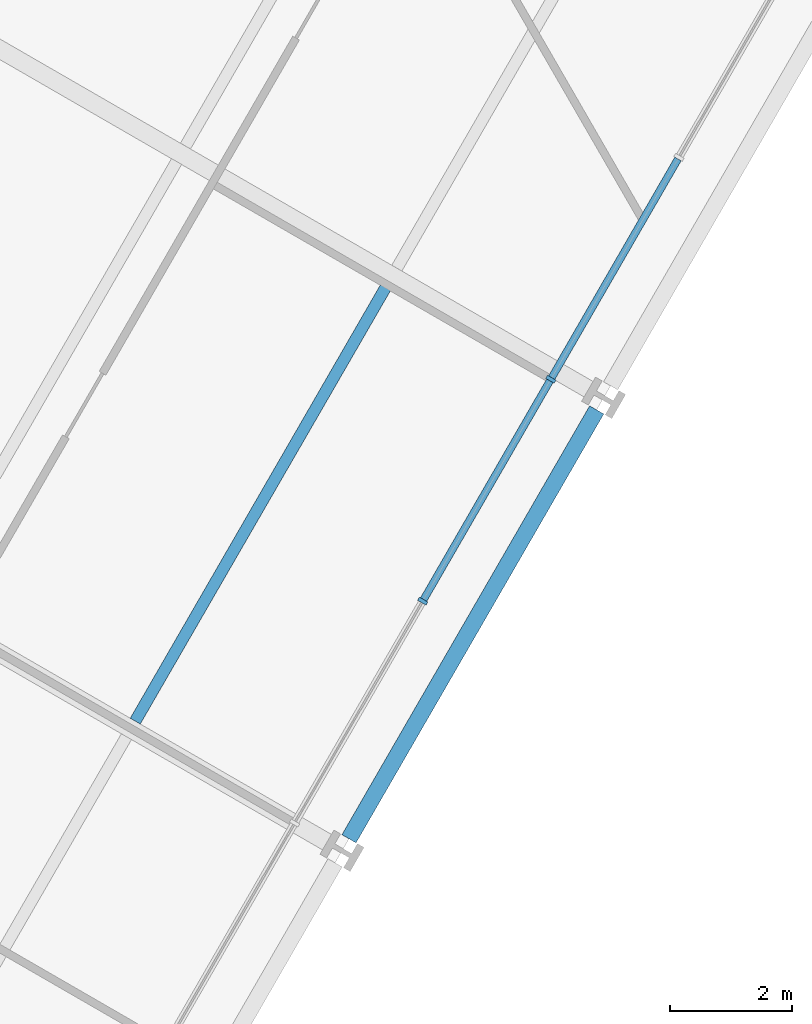
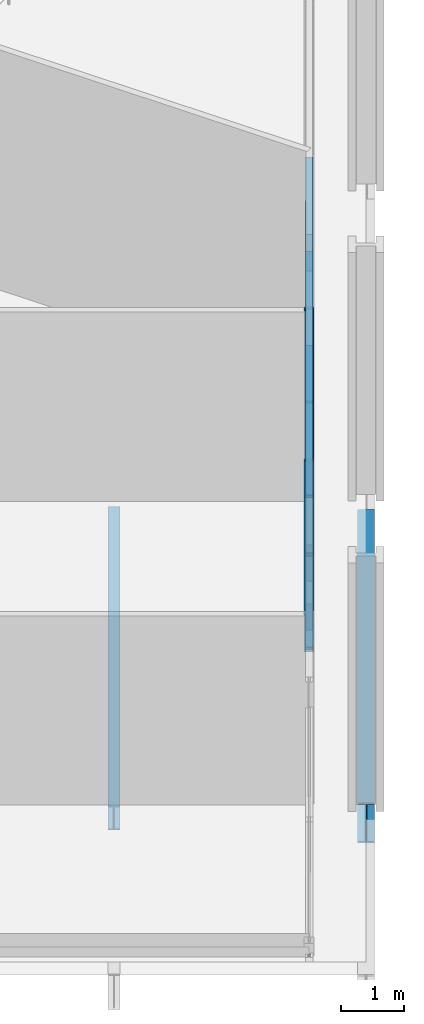
# One storey, part 5 of 18: 8 members, 2 beams, 1 element without a shape of its own.
"""IFC4 building model written with IfcOpenShell, lengths in metres."""

from ifc_helpers import new_model, si_unit, direction, frame, origin, origin_2d, place, context, subcontext, project, spatial, rectangle, i_section, extrude, material, layer, layer_set, material_profile, profile_set, type_object, element, aggregate, save


model = new_model("IFC4")

# Units and contexts
model_context = context("Model", 3, precision=1e-05, world=origin(), true_north=direction((0.0, 1.0)))
body_context = subcontext(model_context, "Body", "Model", "MODEL_VIEW")
ifc_project = project(units=[si_unit("LENGTHUNIT", "METRE"), si_unit("AREAUNIT", "SQUARE_METRE"), si_unit("VOLUMEUNIT", "CUBIC_METRE"), si_unit("PLANEANGLEUNIT", "RADIAN"), si_unit("MASSUNIT", "GRAM", prefix="KILO")], contexts=[model_context])

# Site, building, storey
site_placement = place(None, origin())
site = spatial("IfcSite", under=ifc_project, at=site_placement, CompositionType="ELEMENT")
building_placement = place(site_placement, origin())
building = spatial("IfcBuilding", under=site, at=building_placement, Name="Verrane Prism Tower", CompositionType="ELEMENT")
storey_placement = place(building_placement, frame((0.0, 0.0, 22.39990234375)))
storey = spatial("IfcBuildingStorey", under=building, at=storey_placement, Name="L03", CompositionType="ELEMENT", Elevation=22.39990234375)

# Curtain wall, members
ifc_material_1 = material(Name="Aluminium and glass curtain wall", Category="aluminium")
ifc_layer = layer(ifc_material_1, 0.199951171875)
ifc_layer_set = layer_set([ifc_layer], Name="CWB-1 retail curtain wall")
curtain_wall_type = type_object("IfcCurtainWallType", Name="CWB-1 retail curtain wall", PredefinedType="NOTDEFINED", material=ifc_layer_set)
curtain_wall_placement = place(storey_placement, origin())
curtain_wall = element("IfcCurtainWall", 1, at=curtain_wall_placement, inside=storey, type_object=curtain_wall_type, Name="Retail curtain wall L03 6", PredefinedType="NOTDEFINED")
ifc_material_2 = material(Name="Aluminium", Category="aluminium")
ifc_material_profile_1 = material_profile(ifc_material_2, rectangle(XDim=0.159912109375, YDim=0.06005859375, at=origin_2d()), Name="CWB-M 60x160 mullion")
ifc_profile_set_1 = profile_set([ifc_material_profile_1], Name="Aluminium")
member_type_1 = type_object("IfcMemberType", Name="CWB-M 60x160 mullion", PredefinedType="MULLION", material=ifc_profile_set_1)
member_1_placement = place(storey_placement, frame((19.64990234375, -6.505126953125, 0.0), z_axis=(0.0, 0.0, 1.0), x_axis=(-0.866025335097, 0.50000011897, 0.0)))
member_1 = element("IfcMember", 2, at=member_1_placement, type_object=member_type_1, Name="CWB36 mullion 8", PredefinedType="MULLION", context=body_context, shape_type="SweptSolid", body=[
    extrude(rectangle(XDim=0.159912109375, YDim=0.06005859375, at=origin_2d()), origin(), (0.0, 0.0, 1.0), 3.690185546875),
])
member_2_placement = place(storey_placement, frame((21.74560546875, -2.87548828125, 0.0), z_axis=(0.0, 0.0, 1.0), x_axis=(-0.866025335097, 0.50000011897, 0.0)))
member_2 = element("IfcMember", 3, at=member_2_placement, type_object=member_type_1, Name="CWB36 mullion 9", PredefinedType="MULLION", context=body_context, shape_type="SweptSolid", body=[
    extrude(rectangle(XDim=0.159912109375, YDim=0.06005859375, at=origin_2d()), origin(), (0.0, 0.0, 1.0), 3.690185546875),
])
ifc_material_3 = material(Name="Aluminium", Category="aluminium")
ifc_material_profile_2 = material_profile(ifc_material_3, rectangle(XDim=0.1201171875, YDim=0.06005859375, at=origin_2d()), Name="CWB-T 60x120 transom")
ifc_profile_set_2 = profile_set([ifc_material_profile_2], Name="Aluminium")
member_type_2 = type_object("IfcMemberType", Name="CWB-T 60x120 transom", PredefinedType="USERDEFINED", material=ifc_profile_set_2)
member_3_placement = place(storey_placement, frame((19.6650390625, -6.479248046875, 0.030029296875), z_axis=(0.499996977546, 0.866027148792, 0.0), x_axis=(-0.866027148792, 0.499996977546, 0.0)))
member_3 = element("IfcMember", 4, at=member_3_placement, type_object=member_type_2, Name="CWB36 transom 8.1", ObjectType="TRANSOM", PredefinedType="USERDEFINED", context=body_context, shape_type="SweptSolid", body=[
    extrude(rectangle(XDim=0.1201171875, YDim=0.06005859375, at=origin_2d()), origin(), (0.0, 0.0, 1.0), 4.13134765625),
])
member_4_placement = place(storey_placement, frame((19.6650390625, -6.479248046875, 1.84521484375), z_axis=(0.499996977546, 0.866027148792, 0.0), x_axis=(-0.866027148792, 0.499996977546, 0.0)))
member_4 = element("IfcMember", 5, at=member_4_placement, type_object=member_type_2, Name="CWB36 transom 8.2", ObjectType="TRANSOM", PredefinedType="USERDEFINED", context=body_context, shape_type="SweptSolid", body=[
    extrude(rectangle(XDim=0.1201171875, YDim=0.06005859375, at=origin_2d()), origin(), (0.0, 0.0, 1.0), 4.13134765625),
])
member_5_placement = place(storey_placement, frame((19.6650390625, -6.479248046875, 3.66015625), z_axis=(0.499996977546, 0.866027148792, 0.0), x_axis=(-0.866027148792, 0.499996977546, 0.0)))
member_5 = element("IfcMember", 6, at=member_5_placement, type_object=member_type_2, Name="CWB36 transom 8.3", ObjectType="TRANSOM", PredefinedType="USERDEFINED", context=body_context, shape_type="SweptSolid", body=[
    extrude(rectangle(XDim=0.1201171875, YDim=0.06005859375, at=origin_2d()), origin(), (0.0, 0.0, 1.0), 4.13134765625),
])
member_6_placement = place(storey_placement, frame((21.7607421875, -2.849365234375, 0.030029296875), z_axis=(0.500022567122, 0.866012374259, 0.0), x_axis=(-0.866012374259, 0.500022567122, 0.0)))
member_6 = element("IfcMember", 7, at=member_6_placement, type_object=member_type_2, Name="CWB36 transom 9.1", ObjectType="TRANSOM", PredefinedType="USERDEFINED", context=body_context, shape_type="SweptSolid", body=[
    extrude(rectangle(XDim=0.1201171875, YDim=0.06005859375, at=origin_2d()), origin(), (0.0, 0.0, 1.0), 4.131103515625),
])
member_7_placement = place(storey_placement, frame((21.7607421875, -2.849365234375, 1.84521484375), z_axis=(0.500022567122, 0.866012374259, 0.0), x_axis=(-0.866012374259, 0.500022567122, 0.0)))
member_7 = element("IfcMember", 8, at=member_7_placement, type_object=member_type_2, Name="CWB36 transom 9.2", ObjectType="TRANSOM", PredefinedType="USERDEFINED", context=body_context, shape_type="SweptSolid", body=[
    extrude(rectangle(XDim=0.1201171875, YDim=0.06005859375, at=origin_2d()), origin(), (0.0, 0.0, 1.0), 4.131103515625),
])
member_8_placement = place(storey_placement, frame((21.7607421875, -2.849365234375, 3.66015625), z_axis=(0.500022567122, 0.866012374259, 0.0), x_axis=(-0.866012374259, 0.500022567122, 0.0)))
member_8 = element("IfcMember", 9, at=member_8_placement, type_object=member_type_2, Name="CWB36 transom 9.3", ObjectType="TRANSOM", PredefinedType="USERDEFINED", context=body_context, shape_type="SweptSolid", body=[
    extrude(rectangle(XDim=0.1201171875, YDim=0.06005859375, at=origin_2d()), origin(), (0.0, 0.0, 1.0), 4.131103515625),
])
aggregate(curtain_wall, [member_1, member_2, member_3, member_4, member_5, member_6, member_7, member_8])

# Beams
ifc_material_4 = material(Name="Steel A992", Category="steel")
ifc_material_profile_3 = material_profile(ifc_material_4, i_section(OverallWidth=0.1904296875, OverallDepth=0.457275390625, WebThickness=0.009033203125, FlangeThickness=0.014404296875, FilletRadius=0.01025390625, at=origin_2d()), Name="W18x50")
ifc_profile_set_3 = profile_set([ifc_material_profile_3], Name="Steel A992")
beam_type_1 = type_object("IfcBeamType", Name="Floor beam W18x50", PredefinedType="BEAM", material=ifc_profile_set_3)
beam_1_placement = place(storey_placement, frame((14.947021484375, -8.46875, -0.388427734375), z_axis=(0.500007931068, 0.866020824732, 0.0), x_axis=(-0.866020824732, 0.500007931068, 0.0)))
element("IfcBeam", 10, at=beam_1_placement, inside=storey, type_object=beam_type_1, Name="Floor beam L03", PredefinedType="BEAM", context=body_context, shape_type="SweptSolid", body=[
    extrude(i_section(OverallWidth=0.1904296875, OverallDepth=0.457275390625, WebThickness=0.009033203125, FlangeThickness=0.014404296875, FilletRadius=0.01025390625, at=origin_2d()), origin(), (0.0, 0.0, 1.0), 8.266357421875),
])
ifc_material_5 = material(Name="Steel A992", Category="steel")
ifc_material_profile_4 = material_profile(ifc_material_5, i_section(OverallWidth=0.2666015625, OverallDepth=0.76708984375, WebThickness=0.014892578125, FlangeThickness=0.023681640625, FilletRadius=0.0166015625, at=origin_2d()), Name="W30x124")
ifc_profile_set_4 = profile_set([ifc_material_profile_4], Name="Steel A992")
beam_type_2 = type_object("IfcBeamType", Name="Spandrel beam W30x124", PredefinedType="SPANDREL", material=ifc_profile_set_4)
beam_2_placement = place(storey_placement, frame((18.443603515625, -10.39306640625, -0.54345703125), z_axis=(0.500183217764, 0.865919597115, 0.0), x_axis=(-0.865919597115, 0.500183217764, 0.0)))
element("IfcBeam", 11, at=beam_2_placement, inside=storey, type_object=beam_type_2, Name="Spandrel beam L03", PredefinedType="SPANDREL", context=body_context, shape_type="SweptSolid", body=[
    extrude(i_section(OverallWidth=0.2666015625, OverallDepth=0.76708984375, WebThickness=0.014892578125, FlangeThickness=0.023681640625, FilletRadius=0.0166015625, at=origin_2d()), origin(), (0.0, 0.0, 1.0), 8.1025390625),
])

save(model, "model.ifc")
